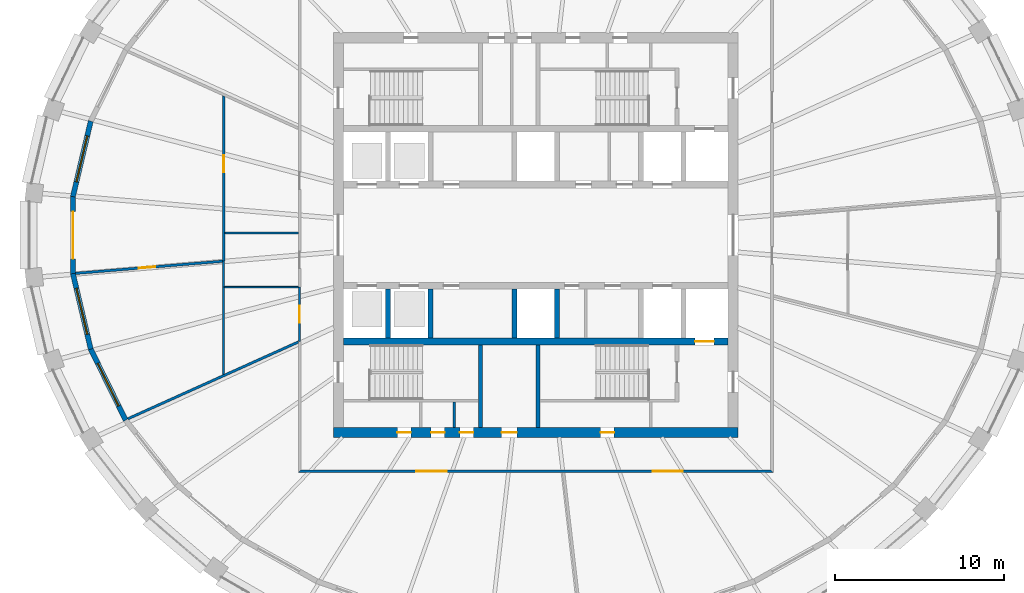
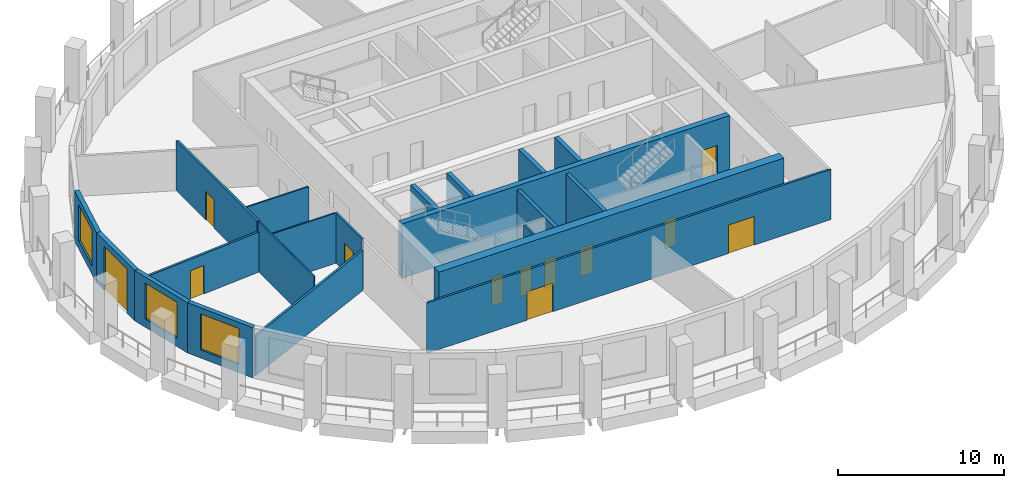
# One storey, part 3 of 10: 21 walls, 12 doors, 3 windows, 15 openings.
"""IFC4 building model written with IfcOpenShell, lengths in metres."""

import ifcopenshell
import ifcopenshell.guid

model = None  # the IFC model being written
_history = None  # IfcOwnerHistory: only IFC2X3 demands one
_inside = {}  # id of a spatial element -> (the spatial element, [elements in it])
_under = {}  # id of a project, library or spatial element -> (it, [spatial elements below it])
_declared = {}  # id of a project -> (the project, [libraries it declares])
_typed = {}  # id of a type object -> (the type object, [elements of that type])
_made_of = {}  # id of a material, layer set ... -> (it, [elements and type objects made of it])


def new_model(schema):
    """Start an empty IFC model of exactly this schema.

    Asked for "IFC4X3", IfcOpenShell would pick the latest addendum, in which some entities
    have other attributes; the version numbers below select the first issue.
    IFC2X3 requires an IfcOwnerHistory on every rooted entity: one is made here for all.
    """
    global model, _history
    if schema == "IFC4X3":
        model = ifcopenshell.file(schema_version=(4, 3, 0, 0))
    else:
        model = ifcopenshell.file(schema=schema)
    _inside.clear()
    _under.clear()
    _declared.clear()
    _typed.clear()
    _made_of.clear()
    _history = None
    if model.schema == "IFC2X3":
        org = make("IfcOrganization", Name="unknown")
        user = make(
            "IfcPersonAndOrganization",
            ThePerson=make("IfcPerson", FamilyName="unknown"),
            TheOrganization=org,
        )
        app = make(
            "IfcApplication",
            ApplicationDeveloper=org,
            Version="unknown",
            ApplicationFullName="unknown",
            ApplicationIdentifier="unknown",
        )
        _history = make(
            "IfcOwnerHistory",
            OwningUser=user,
            OwningApplication=app,
            ChangeAction="ADDED",
            CreationDate=0,
        )
    return model


def make(cls, **values):
    """One entity of the class cls with the attributes given. An attribute that is None is left unset."""
    return model.create_entity(
        cls, **{name: value for name, value in values.items() if value is not None}
    )


def rooted(cls, **values):
    """An entity with a GlobalId (a new one), such as an element, a storey or a relation."""
    return make(cls, GlobalId=ifcopenshell.guid.new(), OwnerHistory=_history, **values)


def si_unit(unit_type, name, prefix=None):
    """IfcSIUnit, for example si_unit("LENGTHUNIT", "METRE", prefix="MILLI")."""
    return make("IfcSIUnit", UnitType=unit_type, Prefix=prefix, Name=name)


def assignment(units):
    """IfcUnitAssignment: the units of a project."""
    return None if units is None else make("IfcUnitAssignment", Units=units)


def point(xyz):
    """IfcCartesianPoint."""
    return None if xyz is None else make("IfcCartesianPoint", Coordinates=xyz)


def direction(xyz):
    """IfcDirection."""
    return None if xyz is None else make("IfcDirection", DirectionRatios=xyz)


def frame(location, z_axis=None, x_axis=None):
    """IfcAxis2Placement3D, a coordinate frame: its origin and axes. An axis left out is left unset."""
    return make(
        "IfcAxis2Placement3D",
        Location=point(location),
        Axis=direction(z_axis),
        RefDirection=direction(x_axis),
    )


def frame_2d(location, x_axis=None):
    """IfcAxis2Placement2D, a coordinate frame in the plane: its origin and x axis."""
    return make(
        "IfcAxis2Placement2D", Location=point(location), RefDirection=direction(x_axis)
    )


def origin():
    """The frame at (0, 0, 0) with its axes left unset."""
    return frame((0.0, 0.0, 0.0))


def place(relative_to, where):
    """IfcLocalPlacement: puts the frame where relative to a parent placement (None: the world)."""
    return make(
        "IfcLocalPlacement", PlacementRelTo=relative_to, RelativePlacement=where
    )


def context(
    kind, dimensions, precision=None, world=None, true_north=None, identifier=None
):
    """IfcGeometricRepresentationContext, for example the 3D "Model" context."""
    return make(
        "IfcGeometricRepresentationContext",
        ContextIdentifier=identifier,
        ContextType=kind,
        CoordinateSpaceDimension=dimensions,
        Precision=precision,
        WorldCoordinateSystem=world,
        TrueNorth=true_north,
    )


def subcontext(parent, identifier, kind, view, scale=None):
    """IfcGeometricRepresentationSubContext, for example "Body" below "Model"."""
    return make(
        "IfcGeometricRepresentationSubContext",
        ContextIdentifier=identifier,
        ContextType=kind,
        ParentContext=parent,
        TargetScale=scale,
        TargetView=view,
    )


def project(units=None, contexts=None):
    """IfcProject with its units and contexts."""
    return rooted(
        "IfcProject",
        Name="project",
        RepresentationContexts=contexts,
        UnitsInContext=assignment(units),
    )


def spatial(cls, under=None, at=None, **own):
    """A site, building, storey or space (cls), placed at a placement, below another one or the project."""
    s = rooted(cls, ObjectPlacement=at, **own)
    if under is not None:
        _under.setdefault(under.id(), (under, []))[1].append(s)
    return s


def polyline(points):
    """IfcPolyline through the points."""
    return make("IfcPolyline", Points=[point(p) for p in points])


def profile(cls, at=None, kind="AREA", **sizes):
    """A parametric profile (cls). Its sizes go by their IFC names, for example OverallWidth=200.0."""
    return make(cls, ProfileType=kind, Position=at, **sizes)


def rectangle(**sizes):
    """IfcRectangleProfileDef."""
    return profile("IfcRectangleProfileDef", **sizes)


def outline(outer, holes=None, kind="AREA"):
    """IfcArbitraryClosedProfileDef: a profile drawn as a closed curve; with holes, ...WithVoids."""
    if holes is None:
        return make("IfcArbitraryClosedProfileDef", ProfileType=kind, OuterCurve=outer)
    return make(
        "IfcArbitraryProfileDefWithVoids",
        ProfileType=kind,
        OuterCurve=outer,
        InnerCurves=holes,
    )


def extrude(swept, where, along, depth):
    """IfcExtrudedAreaSolid: the profile swept, set in the frame where, extruded along a direction by depth."""
    return make(
        "IfcExtrudedAreaSolid",
        SweptArea=swept,
        Position=where,
        ExtrudedDirection=direction(along),
        Depth=depth,
    )


def shape(context_of_items, identifier, shape_type, items):
    """IfcShapeRepresentation: the items that make up one representation, for example the "Body"."""
    return make(
        "IfcShapeRepresentation",
        ContextOfItems=context_of_items,
        RepresentationIdentifier=identifier,
        RepresentationType=shape_type,
        Items=items,
    )


def material(Name=None, Category=None):
    """IfcMaterial."""
    return make("IfcMaterial", Name=Name, Category=Category)


def layer(
    of_material, thickness, ventilated=None, Name=None, Category=None, Priority=None
):
    """IfcMaterialLayer: one layer of a wall or slab, of a material (None: an air gap)."""
    return make(
        "IfcMaterialLayer",
        Material=of_material,
        LayerThickness=thickness,
        IsVentilated=ventilated,
        Name=Name,
        Category=Category,
        Priority=Priority,
    )


def layer_set(layers, Name=None):
    """IfcMaterialLayerSet."""
    return make("IfcMaterialLayerSet", MaterialLayers=layers, LayerSetName=Name)


def made_of(thing, what):
    """Note that an element or type object is made of a material, layer set ...; save() writes the relation."""
    if what is not None:
        _made_of.setdefault(what.id(), (what, []))[1].append(thing)
    return thing


def type_object(cls, material=None, **own):
    """A type object (cls), such as IfcWallType, which elements share."""
    return made_of(rooted(cls, **own), material)


def element(
    cls,
    number,
    at=None,
    inside=None,
    cuts=None,
    type_object=None,
    material=None,
    context=None,
    identifier="Body",
    shape_type=None,
    held_by="IfcProductDefinitionShape",
    body=None,
    shapes=None,
    **own,
):
    """One element of the class cls, such as IfcWall. Its Tag is "e" and its number.

    at: its placement. inside: the storey or other place that contains it. cuts: it is an
    opening in that element (IfcRelVoidsElement). A single representation is given by context,
    identifier, shape_type and body (its items); several are given by shapes. held_by: the class
    of the entity that holds the representations. save() writes the other relations.
    """
    e = rooted(cls, Tag="e%d" % number, ObjectPlacement=at, **own)
    if body is not None:
        shapes = [shape(context, identifier, shape_type, body)]
    if shapes is not None:
        e.Representation = make(held_by, Representations=shapes)
    if inside is not None:
        _inside.setdefault(inside.id(), (inside, []))[1].append(e)
    if cuts is not None:
        rooted(
            "IfcRelVoidsElement", RelatingBuildingElement=cuts, RelatedOpeningElement=e
        )
    if type_object is not None:
        _typed.setdefault(type_object.id(), (type_object, []))[1].append(e)
    return made_of(e, material)


def fill(opening, filler):
    """IfcRelFillsElement: the door or window that sits in an opening."""
    return rooted(
        "IfcRelFillsElement",
        RelatingOpeningElement=opening,
        RelatedBuildingElement=filler,
    )


def aggregate(whole, parts):
    """IfcRelAggregates: a whole, such as a stair, and the parts it consists of."""
    return rooted("IfcRelAggregates", RelatingObject=whole, RelatedObjects=parts)


def save(model, path):
    """Write the relations noted so far, then the file.

    IfcRelAggregates (storeys below a building ...), IfcRelContainedInSpatialStructure (elements
    in a storey), IfcRelDefinesByType, IfcRelAssociatesMaterial and IfcRelDeclares: one each for
    every whole, place, type object, material and project.
    """
    for whole, parts in _under.values():
        aggregate(whole, parts)
    for where, things in _inside.values():
        rooted(
            "IfcRelContainedInSpatialStructure",
            RelatedElements=things,
            RelatingStructure=where,
        )
    for kind, things in _typed.values():
        rooted("IfcRelDefinesByType", RelatedObjects=things, RelatingType=kind)
    for what, things in _made_of.values():
        rooted("IfcRelAssociatesMaterial", RelatedObjects=things, RelatingMaterial=what)
    for by, libraries in _declared.values():
        rooted("IfcRelDeclares", RelatingContext=by, RelatedDefinitions=libraries)
    model.write(path)


model = new_model("IFC4")

# Units and contexts
model_context = context("Model", 3, precision=1e-05, world=origin(), true_north=direction((0.0, 1.0)))
body_context = subcontext(model_context, "Body", "Model", "MODEL_VIEW")
ifc_project = project(units=[si_unit("LENGTHUNIT", "METRE"), si_unit("AREAUNIT", "SQUARE_METRE"), si_unit("VOLUMEUNIT", "CUBIC_METRE"), si_unit("PLANEANGLEUNIT", "RADIAN"), si_unit("MASSUNIT", "GRAM", prefix="KILO")], contexts=[model_context])

# Site, building, storey
site_placement = place(None, origin())
site = spatial("IfcSite", under=ifc_project, at=site_placement, CompositionType="ELEMENT")
building_placement = place(site_placement, origin())
building = spatial("IfcBuilding", under=site, at=building_placement, Name="Halqa Exchange Tower", CompositionType="ELEMENT")
storey_placement = place(building_placement, frame((0.0, 0.0, 264.300048828125)))
storey = spatial("IfcBuildingStorey", under=building, at=storey_placement, Name="L61", CompositionType="ELEMENT", Elevation=264.300048828125)

# Wall, opening, door
ifc_material_1 = material(Name="Gypsum board")
ifc_layer_1 = layer(ifc_material_1, 0.14990234375)
ifc_layer_set_1 = layer_set([ifc_layer_1], Name="Gypsum board")
wall_type_1 = type_object("IfcWallType", Name="Acoustic partition 150", PredefinedType="PARTITIONING", material=ifc_layer_set_1)
wall_1_placement = place(storey_placement, frame((-18.556396484375, -1.544677734375, 0.0), z_axis=(0.0, 0.0, 1.0), x_axis=(-0.996605565352, -0.0823246446, 0.0)))
wall_1 = element("IfcWall", 1, at=wall_1_placement, inside=storey, type_object=wall_type_1, Name="L61-PWL-004", PredefinedType="PARTITIONING", context=body_context, shape_type="SweptSolid", body=[
    extrude(outline(polyline([(8.74560546875, -0.074951171875), (8.74560546875, 0.038818359375), (8.740234375, 0.074951171875), (6.9921875, 0.074951171875), (5.244140625, 0.074951171875), (3.49609375, 0.074951171875), (1.748046875, 0.074951171875), (0.0, 0.074951171875), (0.0, -0.004638671875), (0.01806640625, -0.006103515625), (0.012451171875, -0.074951171875), (1.759033203125, -0.074951171875), (3.505615234375, -0.074951171875), (5.25244140625, -0.074951171875), (6.9990234375, -0.074951171875), (8.74560546875, -0.074951171875)])), origin(), (0.0, 0.0, 1.0), 2.947021484375),
])
opening_1_placement = place(wall_1_placement, frame((3.9990234375, 0.0, 0.0)))
opening_1 = element("IfcOpeningElement", 2, at=opening_1_placement, cuts=wall_1, Name="Opening 18-13", PredefinedType="OPENING", context=body_context, shape_type="SweptSolid", body=[
    extrude(rectangle(XDim=1.0, YDim=2.10009765625, at=frame_2d((0.5, 1.050048828125))), frame((0.0, 0.0869140625, 0.0), z_axis=(0.0, -1.0, 0.0), x_axis=(1.0, 0.0, 0.0)), (0.0, 0.0, 1.0), 0.173828125),
])
ifc_material_2 = material(Name="Timber door leaf", Category="wood")
door_type_1 = type_object("IfcDoorType", Name="Acoustic door 1000 x 2100", OperationType="SINGLE_SWING_LEFT", PredefinedType="DOOR", material=ifc_material_2)
door_1_placement = place(opening_1_placement, origin())
door_1 = element("IfcDoor", 3, at=door_1_placement, inside=storey, type_object=door_type_1, Name="L61-IDR-013", OperationType="SINGLE_SWING_LEFT", OverallHeight=2.10009765625, OverallWidth=1.0, PredefinedType="DOOR", context=body_context, shape_type="SweptSolid", body=[
    extrude(rectangle(XDim=1.0, YDim=2.10009765625, at=frame_2d((0.5, 1.050048828125))), frame((0.0, 0.02490234375, 0.0), z_axis=(0.0, -1.0, 0.0), x_axis=(1.0, 0.0, 0.0)), (0.0, 0.0, 1.0), 0.050048828125),
])
fill(opening_1, door_1)

wall_2_placement = place(storey_placement, frame((-18.5, -1.5400390625, 0.0), z_axis=(0.0, 0.0, 1.0), x_axis=(0.0, 1.0, 0.0)))
wall_2 = element("IfcWall", 4, at=wall_2_placement, inside=storey, type_object=wall_type_1, Name="L61-PWL-005", PredefinedType="PARTITIONING", context=body_context, shape_type="SweptSolid", body=[
    extrude(outline(polyline([(0.0, -0.074951171875), (1.950439453125, -0.074951171875), (3.90087890625, -0.074951171875), (5.851318359375, -0.074951171875), (7.8017578125, -0.074951171875), (9.752197265625, -0.074951171875), (9.819580078125, 0.07421875), (9.819580078125, 0.074951171875), (7.869384765625, 0.074951171875), (5.91943359375, 0.074951171875), (3.96923828125, 0.074951171875), (2.019287109375, 0.074951171875), (0.069091796875, 0.074951171875), (0.070068359375, 0.0625), (0.0, 0.056640625), (0.0, 0.050048828125), (0.0, 0.050048828125), (0.0, -0.050048828125), (0.0, -0.050048828125), (0.0, -0.074951171875)])), origin(), (0.0, 0.0, 1.0), 3.699951171875),
])
opening_2_placement = place(wall_2_placement, frame((5.27001953125, 0.0, 0.0)))
opening_2 = element("IfcOpeningElement", 5, at=opening_2_placement, cuts=wall_2, Name="Opening 18-12", PredefinedType="OPENING", context=body_context, shape_type="SweptSolid", body=[
    extrude(rectangle(XDim=1.0, YDim=2.10009765625, at=frame_2d((0.5, 1.050048828125))), frame((0.0, 0.0869140625, 0.0), z_axis=(0.0, -1.0, 0.0), x_axis=(1.0, 0.0, 0.0)), (0.0, 0.0, 1.0), 0.173828125),
])
door_2_placement = place(opening_2_placement, frame((1.0, 0.0, 0.0), z_axis=(0.0, 0.0, 1.0), x_axis=(-1.0, 0.0, 0.0)))
door_2 = element("IfcDoor", 6, at=door_2_placement, inside=storey, type_object=door_type_1, Name="L61-IDR-012", OperationType="SINGLE_SWING_LEFT", OverallHeight=2.10009765625, OverallWidth=1.0, PredefinedType="DOOR", context=body_context, shape_type="SweptSolid", body=[
    extrude(rectangle(XDim=1.0, YDim=2.10009765625, at=frame_2d((0.5, 1.050048828125))), frame((0.0, 0.02490234375, 0.0), z_axis=(0.0, -1.0, 0.0), x_axis=(1.0, 0.0, 0.0)), (0.0, 0.0, 1.0), 0.050048828125),
])
fill(opening_2, door_2)

# Wall
ifc_material_3 = material(Name="Fire-rated gypsum board")
ifc_layer_2 = layer(ifc_material_3, 0.14990234375)
ifc_layer_set_2 = layer_set([ifc_layer_2], Name="Fire-rated gypsum board")
wall_type_2 = type_object("IfcWallType", Name="Fire partition EI 60 150", PredefinedType="PARTITIONING", material=ifc_layer_set_2)
wall_3_placement = place(storey_placement, frame((-24.17626953125, -10.88671875, 0.0), z_axis=(0.0, 0.0, 1.0), x_axis=(0.9116787738, 0.410903654648, 0.0)))
element("IfcWall", 7, at=wall_3_placement, inside=storey, type_object=wall_type_2, Name="L61-PWL-001", PredefinedType="PARTITIONING", context=body_context, shape_type="SweptSolid", body=[
    extrude(outline(polyline([(0.020751953125, -0.074951171875), (1.8583984375, -0.074951171875), (3.69580078125, -0.074951171875), (5.533447265625, -0.074951171875), (7.37109375, -0.074951171875), (9.20849609375, -0.074951171875), (11.046142578125, -0.074951171875), (11.09375, 0.031005859375), (11.107421875, 0.02490234375), (11.129638671875, 0.073974609375), (11.129638671875, 0.074951171875), (9.524658203125, 0.074951171875), (7.919677734375, 0.074951171875), (6.314697265625, 0.074951171875), (6.314208984375, 0.07373046875), (6.3115234375, 0.074951171875), (4.733642578125, 0.074951171875), (3.15576171875, 0.074951171875), (1.577880859375, 0.074951171875), (0.0, 0.074951171875), (0.0, 0.0625), (0.002197265625, -0.0009765625), (0.020751953125, -0.074951171875)])), origin(), (0.0, 0.0, 1.0), 2.947021484375),
])

# Wall, openings, doors
wall_4_placement = place(storey_placement, frame((-14.074951171875, -14.0, 0.0), z_axis=(0.0, 0.0, 1.0), x_axis=(1.0, 0.0, 0.0)))
wall_4 = element("IfcWall", 8, at=wall_4_placement, inside=storey, type_object=wall_type_2, Name="L61-PWL-007", PredefinedType="PARTITIONING", context=body_context, shape_type="SweptSolid", body=[
    extrude(outline(polyline([(0.0, -0.074951171875), (1.876708984375, -0.074951171875), (3.75341796875, -0.074951171875), (5.6298828125, -0.074951171875), (7.506591796875, -0.074951171875), (9.38330078125, -0.074951171875), (11.260009765625, -0.074951171875), (13.13671875, -0.074951171875), (15.01318359375, -0.074951171875), (16.889892578125, -0.074951171875), (18.7666015625, -0.074951171875), (20.643310546875, -0.074951171875), (22.52001953125, -0.074951171875), (24.396484375, -0.074951171875), (26.273193359375, -0.074951171875), (28.14990234375, -0.074951171875), (28.0, 0.074951171875), (26.0107421875, 0.074951171875), (24.021484375, 0.074951171875), (22.0322265625, 0.074951171875), (20.042724609375, 0.074951171875), (18.053466796875, 0.074951171875), (16.064208984375, 0.074951171875), (14.074951171875, 0.074951171875), (12.085693359375, 0.074951171875), (10.096435546875, 0.074951171875), (8.107177734375, 0.074951171875), (6.11767578125, 0.074951171875), (4.12841796875, 0.074951171875), (2.13916015625, 0.074951171875), (0.14990234375, 0.074951171875), (0.0, -0.074951171875)])), origin(), (0.0, 0.0, 1.0), 3.699951171875),
])
opening_3_placement = place(wall_4_placement, frame((20.9951171875, 0.0, 0.0)))
opening_3 = element("IfcOpeningElement", 9, at=opening_3_placement, cuts=wall_4, Name="Opening 18-01", PredefinedType="OPENING", context=body_context, shape_type="SweptSolid", body=[
    extrude(rectangle(XDim=1.800048828125, YDim=2.10009765625, at=frame_2d((0.89990234375, 1.050048828125))), frame((0.0, 0.0869140625, 0.0), z_axis=(0.0, -1.0, 0.0), x_axis=(1.0, 0.0, 0.0)), (0.0, 0.0, 1.0), 0.173828125),
])
opening_4_placement = place(wall_4_placement, frame((6.9951171875, 0.0, 0.0)))
opening_4 = element("IfcOpeningElement", 10, at=opening_4_placement, cuts=wall_4, Name="Opening 18-10", PredefinedType="OPENING", context=body_context, shape_type="SweptSolid", body=[
    extrude(rectangle(XDim=1.800048828125, YDim=2.10009765625, at=frame_2d((0.89990234375, 1.050048828125))), frame((0.0, 0.0869140625, 0.0), z_axis=(0.0, -1.0, 0.0), x_axis=(1.0, 0.0, 0.0)), (0.0, 0.0, 1.0), 0.173828125),
])
ifc_material_4 = material(Name="Steel fire door leaf", Category="steel")
door_type_2 = type_object("IfcDoorType", Name="Fire door FD30S double 1800 x 2100", OperationType="DOUBLE_DOOR_SINGLE_SWING", PredefinedType="DOOR", material=ifc_material_4)
door_3_placement = place(opening_3_placement, frame((1.800048828125, 0.0, 0.0), z_axis=(0.0, 0.0, 1.0), x_axis=(-1.0, 0.0, 0.0)))
door_3 = element("IfcDoor", 11, at=door_3_placement, inside=storey, type_object=door_type_2, Name="L61-IDR-001", OperationType="DOUBLE_DOOR_SINGLE_SWING", OverallHeight=2.10009765625, OverallWidth=1.800048828125, PredefinedType="DOOR", context=body_context, shape_type="SweptSolid", body=[
    extrude(rectangle(XDim=1.800048828125, YDim=2.10009765625, at=frame_2d((0.89990234375, 1.050048828125))), frame((0.0, 0.02490234375, 0.0), z_axis=(0.0, -1.0, 0.0), x_axis=(1.0, 0.0, 0.0)), (0.0, 0.0, 1.0), 0.050048828125),
])
fill(opening_3, door_3)
door_4_placement = place(opening_4_placement, frame((1.800048828125, 0.0, 0.0), z_axis=(0.0, 0.0, 1.0), x_axis=(-1.0, 0.0, 0.0)))
door_4 = element("IfcDoor", 12, at=door_4_placement, inside=storey, type_object=door_type_2, Name="L61-IDR-010", OperationType="DOUBLE_DOOR_SINGLE_SWING", OverallHeight=2.10009765625, OverallWidth=1.800048828125, PredefinedType="DOOR", context=body_context, shape_type="SweptSolid", body=[
    extrude(rectangle(XDim=1.800048828125, YDim=2.10009765625, at=frame_2d((0.89990234375, 1.050048828125))), frame((0.0, 0.02490234375, 0.0), z_axis=(0.0, -1.0, 0.0), x_axis=(1.0, 0.0, 0.0)), (0.0, 0.0, 1.0), 0.050048828125),
])
fill(opening_4, door_4)

# Wall, opening, door
ifc_material_5 = material(Name="Fire-rated glazing", Category="glass")
ifc_layer_3 = layer(ifc_material_5, 0.1201171875)
ifc_layer_set_3 = layer_set([ifc_layer_3], Name="Fire-rated glazing")
wall_type_3 = type_object("IfcWallType", Name="Glazed fire partition EI 60 120", PredefinedType="PARTITIONING", material=ifc_layer_set_3)
wall_5_placement = place(storey_placement, frame((-14.0, -6.300048828125, 0.0), z_axis=(0.0, 0.0, 1.0), x_axis=(0.0, 1.0, 0.0)))
wall_5 = element("IfcWall", 13, at=wall_5_placement, inside=storey, type_object=wall_type_3, Name="L61-PWL-008", PredefinedType="PARTITIONING", context=body_context, shape_type="SweptSolid", body=[
    extrude(rectangle(XDim=3.219970703125, YDim=0.1201171875, at=frame_2d((1.60986328125, 0.0))), origin(), (0.0, 0.0, 1.0), 3.699951171875),
])
opening_5_placement = place(wall_5_placement, frame((1.110107421875, 0.0, 0.0)))
opening_5 = element("IfcOpeningElement", 14, at=opening_5_placement, cuts=wall_5, Name="Opening 18-09", PredefinedType="OPENING", context=body_context, shape_type="SweptSolid", body=[
    extrude(rectangle(XDim=1.0, YDim=2.10009765625, at=frame_2d((0.5, 1.050048828125))), frame((0.0, 0.072021484375, 0.0), z_axis=(0.0, -1.0, 0.0), x_axis=(1.0, 0.0, 0.0)), (0.0, 0.0, 1.0), 0.14404296875),
])
door_type_3 = type_object("IfcDoorType", Name="Fire door FD30S 1000 x 2100", OperationType="SINGLE_SWING_LEFT", PredefinedType="DOOR", material=ifc_material_4)
door_5_placement = place(opening_5_placement, origin())
door_5 = element("IfcDoor", 15, at=door_5_placement, inside=storey, type_object=door_type_3, Name="L61-IDR-009", OperationType="SINGLE_SWING_LEFT", OverallHeight=2.10009765625, OverallWidth=1.0, PredefinedType="DOOR", context=body_context, shape_type="SweptSolid", body=[
    extrude(rectangle(XDim=1.0, YDim=2.10009765625, at=frame_2d((0.5, 1.050048828125))), frame((0.0, 0.02490234375, 0.0), z_axis=(0.0, -1.0, 0.0), x_axis=(1.0, 0.0, 0.0)), (0.0, 0.0, 1.0), 0.050048828125),
])
fill(opening_5, door_5)

# Walls
ifc_layer_4 = layer(ifc_material_1, 0.10009765625)
ifc_layer_set_4 = layer_set([ifc_layer_4], Name="Gypsum board")
wall_type_4 = type_object("IfcWallType", Name="Partition 100 gypsum", PredefinedType="PARTITIONING", material=ifc_layer_set_4)
wall_6_placement = place(storey_placement, frame((-18.5, -8.26806640625, 0.0), z_axis=(0.0, 0.0, 1.0), x_axis=(0.0, 1.0, 0.0)))
element("IfcWall", 16, at=wall_6_placement, inside=storey, type_object=wall_type_4, Name="L61-PWL-003", PredefinedType="PARTITIONING", context=body_context, shape_type="SweptSolid", body=[
    extrude(outline(polyline([(0.044677734375, -0.050048828125), (1.742431640625, -0.050048828125), (3.440185546875, -0.050048828125), (5.13818359375, -0.050048828125), (5.13818359375, -0.050048828125), (5.238037109375, -0.050048828125), (5.238037109375, -0.050048828125), (6.72802734375, -0.050048828125), (6.72802734375, 0.050048828125), (5.0458984375, 0.050048828125), (3.364013671875, 0.050048828125), (1.68212890625, 0.050048828125), (0.0, 0.050048828125), (0.0, 0.048828125), (0.044677734375, -0.050048828125)])), origin(), (0.0, 0.0, 1.0), 3.699951171875),
])
wall_7_placement = place(storey_placement, frame((-14.060546875, -3.080078125, 0.0), z_axis=(0.0, 0.0, 1.0), x_axis=(-1.0, 0.0, 0.0)))
element("IfcWall", 17, at=wall_7_placement, inside=storey, type_object=wall_type_4, Name="L61-PWL-009", PredefinedType="PARTITIONING", context=body_context, shape_type="SweptSolid", body=[
    extrude(outline(polyline([(0.0, 0.050048828125), (0.0, 0.0), (0.014404296875, 0.0), (0.014404296875, -0.050048828125), (1.47265625, -0.050048828125), (2.93115234375, -0.050048828125), (4.389404296875, -0.050048828125), (4.389404296875, 0.050048828125), (2.92626953125, 0.050048828125), (1.463134765625, 0.050048828125), (0.0, 0.050048828125)])), origin(), (0.0, 0.0, 1.0), 3.699951171875),
])
wall_8_placement = place(storey_placement, frame((-14.074951171875, 0.1298828125, 0.0), z_axis=(0.0, 0.0, 1.0), x_axis=(-1.0, 0.0, 0.0)))
element("IfcWall", 18, at=wall_8_placement, inside=storey, type_object=wall_type_4, Name="L61-PWL-011", PredefinedType="PARTITIONING", context=body_context, shape_type="SweptSolid", body=[
    extrude(rectangle(XDim=4.35009765625, YDim=0.10009765625, at=frame_2d((2.175048828125, 0.0))), origin(), (0.0, 0.0, 1.0), 3.699951171875),
])
ifc_layer_5 = layer(ifc_material_1, 0.14990234375)
ifc_layer_set_5 = layer_set([ifc_layer_5], Name="Gypsum board")
wall_type_5 = type_object("IfcWallType", Name="Penthouse riser wall 150 gypsum", PredefinedType="PARTITIONING", material=ifc_layer_set_5)
wall_9_placement = place(storey_placement, frame((-4.824951171875, -11.39990234375, 0.0), z_axis=(0.0, 0.0, 1.0), x_axis=(0.0, 1.0, 0.0)))
element("IfcWall", 19, at=wall_9_placement, inside=storey, type_object=wall_type_5, Name="Partition W4.825 S", PredefinedType="PARTITIONING", context=body_context, shape_type="SweptSolid", body=[
    extrude(rectangle(XDim=1.5, YDim=0.14990234375, at=frame_2d((0.75, 0.0))), origin(), (0.0, 0.0, 1.0), 3.699951171875),
])
ifc_material_6 = material(Name="Concrete C60/75", Category="concrete")
ifc_layer_6 = layer(ifc_material_6, 0.300048828125)
ifc_layer_set_6 = layer_set([ifc_layer_6], Name="Concrete C60/75")
wall_type_6 = type_object("IfcWallType", Name="RC core wall 300", PredefinedType="SHEAR", material=ifc_layer_set_6)
for number, where, z_axis, x_axis, name in (
    (20, (-8.75, -6.10009765625, 0.0), (0.0, 0.0, 1.0), (0.0, 1.0, 0.0), "Shaft divider S1"),
    (21, (-6.25, -6.10009765625, 0.0), (0.0, 0.0, 1.0), (0.0, 1.0, 0.0), "Shaft divider S2"),
    (22, (-1.25, -6.10009765625, 0.0), (0.0, 0.0, 1.0), (0.0, 1.0, 0.0), "Shaft divider S4"),
    (23, (1.25, -6.10009765625, 0.0), (0.0, 0.0, 1.0), (0.0, 1.0, 0.0), "Shaft divider S5"),
):
    element("IfcWall", number, at=place(storey_placement, frame(where, z_axis=z_axis, x_axis=x_axis)), inside=storey, type_object=wall_type_6, Name=name, PredefinedType="SHEAR", context=body_context, shape_type="SweptSolid", body=[
        extrude(rectangle(XDim=2.900146484375, YDim=0.300048828125, at=frame_2d((1.4501953125, 0.0))), origin(), (0.0, 0.0, 1.0), 4.0),
    ])

# Wall, opening, door
ifc_layer_7 = layer(ifc_material_6, 0.39990234375)
ifc_layer_set_7 = layer_set([ifc_layer_7], Name="Concrete C60/75")
wall_type_7 = type_object("IfcWallType", Name="RC core wall 400 C60/75", PredefinedType="SHEAR", material=ifc_layer_set_7)
wall_10_placement = place(storey_placement, frame((-11.39990234375, -6.300048828125, 0.0), z_axis=(0.0, 0.0, 1.0), x_axis=(1.0, 0.0, 0.0)))
wall_10 = element("IfcWall", 24, at=wall_10_placement, inside=storey, type_object=wall_type_7, Name="Lift row back wall S", PredefinedType="SHEAR", context=body_context, shape_type="SweptSolid", body=[
    extrude(rectangle(XDim=22.7998046875, YDim=0.39990234375, at=frame_2d((11.39990234375, 0.0))), origin(), (0.0, 0.0, 1.0), 4.0),
])
opening_6_placement = place(wall_10_placement, frame((20.85009765625, 0.0, 0.0)))
opening_6 = element("IfcOpeningElement", 25, at=opening_6_placement, cuts=wall_10, Name="Opening LD-FF2-T18", PredefinedType="OPENING", context=body_context, shape_type="SweptSolid", body=[
    extrude(rectangle(XDim=1.10009765625, YDim=2.10009765625, at=frame_2d((0.550048828125, 1.050048828125))), frame((0.0, 0.2119140625, 0.0), z_axis=(0.0, -1.0, 0.0), x_axis=(1.0, 0.0, 0.0)), (0.0, 0.0, 1.0), 0.423828125),
])
ifc_material_7 = material(Name="Stainless steel", Category="steel")
door_type_4 = type_object("IfcDoorType", Name="Lift landing door 1100 x 2100", OperationType="SLIDING_TO_LEFT", PredefinedType="DOOR", material=ifc_material_7)
door_6_placement = place(opening_6_placement, origin())
door_6 = element("IfcDoor", 26, at=door_6_placement, inside=storey, type_object=door_type_4, Name="Lift landing door FF2", OperationType="SLIDING_TO_LEFT", OverallHeight=2.10009765625, OverallWidth=1.10009765625, PredefinedType="DOOR", context=body_context, shape_type="SweptSolid", body=[
    extrude(rectangle(XDim=1.10009765625, YDim=2.10009765625, at=frame_2d((0.550048828125, 1.050048828125))), frame((0.0, 0.02490234375, 0.0), z_axis=(0.0, -1.0, 0.0), x_axis=(1.0, 0.0, 0.0)), (0.0, 0.0, 1.0), 0.050048828125),
])
fill(opening_6, door_6)

# Wall, openings, doors
ifc_layer_8 = layer(ifc_material_6, 0.60009765625)
ifc_layer_set_8 = layer_set([ifc_layer_8], Name="Concrete C60/75")
wall_type_8 = type_object("IfcWallType", Name="RC core wall 600 C60/75", PredefinedType="SHEAR", material=ifc_layer_set_8)
wall_11_placement = place(storey_placement, frame((-12.0, -11.699951171875, 0.0), z_axis=(0.0, 0.0, 1.0), x_axis=(1.0, 0.0, 0.0)))
wall_11 = element("IfcWall", 27, at=wall_11_placement, inside=storey, type_object=wall_type_8, Name="Core wall south", PredefinedType="SHEAR", context=body_context, shape_type="SweptSolid", body=[
    extrude(rectangle(XDim=24.0, YDim=0.60009765625, at=frame_2d((12.0, 0.0))), origin(), (0.0, 0.0, 1.0), 4.0),
])
opening_7_placement = place(wall_11_placement, frame((9.97509765625, 0.0, 0.0)))
opening_7 = element("IfcOpeningElement", 28, at=opening_7_placement, cuts=wall_11, Name="Opening T18-C22", PredefinedType="OPENING", context=body_context, shape_type="SweptSolid", body=[
    extrude(rectangle(XDim=0.89990234375, YDim=2.10009765625, at=frame_2d((0.449951171875, 1.050048828125))), frame((0.0, 0.31201171875, 0.0), z_axis=(0.0, -1.0, 0.0), x_axis=(1.0, 0.0, 0.0)), (0.0, 0.0, 1.0), 0.6240234375),
])
opening_8_placement = place(wall_11_placement, frame((3.800048828125, 0.0, 0.0)))
opening_8 = element("IfcOpeningElement", 29, at=opening_8_placement, cuts=wall_11, Name="Opening T18-C23", PredefinedType="OPENING", context=body_context, shape_type="SweptSolid", body=[
    extrude(rectangle(XDim=0.800048828125, YDim=2.10009765625, at=frame_2d((0.39990234375, 1.050048828125))), frame((0.0, 0.31201171875, 0.0), z_axis=(0.0, -1.0, 0.0), x_axis=(1.0, 0.0, 0.0)), (0.0, 0.0, 1.0), 0.6240234375),
])
opening_9_placement = place(wall_11_placement, frame((5.800048828125, 0.0, 0.0)))
opening_9 = element("IfcOpeningElement", 30, at=opening_9_placement, cuts=wall_11, Name="Opening T18-C24", PredefinedType="OPENING", context=body_context, shape_type="SweptSolid", body=[
    extrude(rectangle(XDim=0.800048828125, YDim=2.10009765625, at=frame_2d((0.39990234375, 1.050048828125))), frame((0.0, 0.31201171875, 0.0), z_axis=(0.0, -1.0, 0.0), x_axis=(1.0, 0.0, 0.0)), (0.0, 0.0, 1.0), 0.6240234375),
])
opening_10_placement = place(wall_11_placement, frame((7.5, 0.0, 0.0)))
opening_10 = element("IfcOpeningElement", 31, at=opening_10_placement, cuts=wall_11, Name="Opening T18-C25", PredefinedType="OPENING", context=body_context, shape_type="SweptSolid", body=[
    extrude(rectangle(XDim=0.800048828125, YDim=2.10009765625, at=frame_2d((0.39990234375, 1.050048828125))), frame((0.0, 0.31201171875, 0.0), z_axis=(0.0, -1.0, 0.0), x_axis=(1.0, 0.0, 0.0)), (0.0, 0.0, 1.0), 0.6240234375),
])
opening_11_placement = place(wall_11_placement, frame((15.85009765625, 0.0, 0.0)))
opening_11 = element("IfcOpeningElement", 32, at=opening_11_placement, cuts=wall_11, Name="Opening T18-C26", PredefinedType="OPENING", context=body_context, shape_type="SweptSolid", body=[
    extrude(rectangle(XDim=0.800048828125, YDim=2.10009765625, at=frame_2d((0.39990234375, 1.050048828125))), frame((0.0, 0.31201171875, 0.0), z_axis=(0.0, -1.0, 0.0), x_axis=(1.0, 0.0, 0.0)), (0.0, 0.0, 1.0), 0.6240234375),
])
ifc_material_8 = material(Name="Timber fire door leaf", Category="wood")
door_type_5 = type_object("IfcDoorType", Name="Core room door FD30 900 x 2100", OperationType="SINGLE_SWING_LEFT", PredefinedType="DOOR", material=ifc_material_8)
door_7_placement = place(opening_7_placement, origin())
door_7 = element("IfcDoor", 33, at=door_7_placement, inside=storey, type_object=door_type_5, Name="Core room door", OperationType="SINGLE_SWING_RIGHT", OverallHeight=2.10009765625, OverallWidth=0.89990234375, PredefinedType="DOOR", context=body_context, shape_type="SweptSolid", body=[
    extrude(rectangle(XDim=0.89990234375, YDim=2.10009765625, at=frame_2d((0.449951171875, 1.050048828125))), frame((0.0, 0.02490234375, 0.0), z_axis=(0.0, -1.0, 0.0), x_axis=(1.0, 0.0, 0.0)), (0.0, 0.0, 1.0), 0.050048828125),
])
fill(opening_7, door_7)
door_type_6 = type_object("IfcDoorType", Name="Riser door FD60 800 x 2100", OperationType="SINGLE_SWING_LEFT", PredefinedType="DOOR", material=ifc_material_4)
door_8_placement = place(opening_8_placement, origin())
door_8 = element("IfcDoor", 34, at=door_8_placement, inside=storey, type_object=door_type_6, Name="Core room door", OperationType="SINGLE_SWING_LEFT", OverallHeight=2.10009765625, OverallWidth=0.800048828125, PredefinedType="DOOR", context=body_context, shape_type="SweptSolid", body=[
    extrude(rectangle(XDim=0.800048828125, YDim=2.10009765625, at=frame_2d((0.39990234375, 1.050048828125))), frame((0.0, 0.02490234375, 0.0), z_axis=(0.0, -1.0, 0.0), x_axis=(1.0, 0.0, 0.0)), (0.0, 0.0, 1.0), 0.050048828125),
])
fill(opening_8, door_8)
door_9_placement = place(opening_9_placement, origin())
door_9 = element("IfcDoor", 35, at=door_9_placement, inside=storey, type_object=door_type_6, Name="Core room door", OperationType="SINGLE_SWING_LEFT", OverallHeight=2.10009765625, OverallWidth=0.800048828125, PredefinedType="DOOR", context=body_context, shape_type="SweptSolid", body=[
    extrude(rectangle(XDim=0.800048828125, YDim=2.10009765625, at=frame_2d((0.39990234375, 1.050048828125))), frame((0.0, 0.02490234375, 0.0), z_axis=(0.0, -1.0, 0.0), x_axis=(1.0, 0.0, 0.0)), (0.0, 0.0, 1.0), 0.050048828125),
])
fill(opening_9, door_9)
door_10_placement = place(opening_10_placement, origin())
door_10 = element("IfcDoor", 36, at=door_10_placement, inside=storey, type_object=door_type_6, Name="Core room door", OperationType="SINGLE_SWING_LEFT", OverallHeight=2.10009765625, OverallWidth=0.800048828125, PredefinedType="DOOR", context=body_context, shape_type="SweptSolid", body=[
    extrude(rectangle(XDim=0.800048828125, YDim=2.10009765625, at=frame_2d((0.39990234375, 1.050048828125))), frame((0.0, 0.02490234375, 0.0), z_axis=(0.0, -1.0, 0.0), x_axis=(1.0, 0.0, 0.0)), (0.0, 0.0, 1.0), 0.050048828125),
])
fill(opening_10, door_10)
door_11_placement = place(opening_11_placement, origin())
door_11 = element("IfcDoor", 37, at=door_11_placement, inside=storey, type_object=door_type_6, Name="Core room door", OperationType="SINGLE_SWING_LEFT", OverallHeight=2.10009765625, OverallWidth=0.800048828125, PredefinedType="DOOR", context=body_context, shape_type="SweptSolid", body=[
    extrude(rectangle(XDim=0.800048828125, YDim=2.10009765625, at=frame_2d((0.39990234375, 1.050048828125))), frame((0.0, 0.02490234375, 0.0), z_axis=(0.0, -1.0, 0.0), x_axis=(1.0, 0.0, 0.0)), (0.0, 0.0, 1.0), 0.050048828125),
])
fill(opening_11, door_11)

# Walls
ifc_material_9 = material(Name="Concrete C30/37", Category="concrete")
ifc_layer_9 = layer(ifc_material_9, 0.25)
ifc_layer_set_9 = layer_set([ifc_layer_9], Name="Concrete C30/37")
wall_type_9 = type_object("IfcWallType", Name="RC stair wall 250 C30/37", PredefinedType="SHEAR", material=ifc_layer_set_9)
for number, where, z_axis, x_axis, name in (
    (38, (-3.27490234375, -11.39990234375, 0.0), (0.0, 0.0, 1.0), (0.0, 1.0, 0.0), "Stair ST1 east wall S"),
    (39, (0.125, -11.39990234375, 0.0), (0.0, 0.0, 1.0), (0.0, 1.0, 0.0), "Stair ST2 west wall S"),
):
    element("IfcWall", number, at=place(storey_placement, frame(where, z_axis=z_axis, x_axis=x_axis)), inside=storey, type_object=wall_type_9, Name=name, PredefinedType="SHEAR", context=body_context, shape_type="SweptSolid", body=[
        extrude(rectangle(XDim=4.89990234375, YDim=0.25, at=frame_2d((2.449951171875, 0.0))), origin(), (0.0, 0.0, 1.0), 3.699951171875),
    ])

# Wall, opening, window
ifc_material_10 = material(Name="Limestone cladding", Category="masonry")
ifc_layer_10 = layer(ifc_material_10, 0.0400390625)
ifc_material_11 = material(Name="Ventilated cavity")
ifc_layer_11 = layer(ifc_material_11, 0.030029296875, ventilated=True)
ifc_material_12 = material(Name="Mineral wool insulation")
ifc_layer_12 = layer(ifc_material_12, 0.10009765625)
ifc_layer_13 = layer(ifc_material_9, 0.10009765625)
ifc_material_13 = material(Name="Internal plaster")
ifc_layer_14 = layer(ifc_material_13, 0.030029296875)
ifc_layer_set_10 = layer_set([ifc_layer_10, ifc_layer_11, ifc_layer_12, ifc_layer_13, ifc_layer_14], Name="Stone-faced insulated wall 300")
wall_type_10 = type_object("IfcWallType", Name="Stone-faced insulated wall 300", PredefinedType="STANDARD", material=ifc_layer_set_10)
wall_12_placement = place(storey_placement, frame((-26.372314453125, 6.7548828125, 0.0), z_axis=(0.0, 0.0, 1.0), x_axis=(-0.229767529411, -0.973245540667, 0.0)))
wall_12 = element("IfcWall", 40, at=wall_12_placement, inside=storey, type_object=wall_type_10, Name="Glass-line wall 15", PredefinedType="STANDARD", context=body_context, shape_type="SweptSolid", body=[
    extrude(outline(polyline([(-0.016845703125, -0.14990234375), (4.6142578125, -0.14990234375), (4.5791015625, 0.14990234375), (0.016845703125, 0.14990234375), (-0.016845703125, -0.14990234375)])), origin(), (0.0, 0.0, 1.0), 3.699951171875),
])
opening_12_placement = place(wall_12_placement, frame((0.8984375, 0.0, 0.60009765625)))
opening_12 = element("IfcOpeningElement", 41, at=opening_12_placement, cuts=wall_12, Name="Opening W-F4-15", PredefinedType="OPENING", context=body_context, shape_type="SweptSolid", body=[
    extrude(rectangle(XDim=2.800048828125, YDim=2.64990234375, at=frame_2d((1.39990234375, 1.324951171875))), frame((0.0, 0.162109375, 0.0), z_axis=(0.0, -1.0, 0.0), x_axis=(1.0, 0.0, 0.0)), (0.0, 0.0, 1.0), 0.323974609375),
])
ifc_material_14 = material(Name="Clear low-emissivity glass in aluminium frame", Category="aluminium")
window_type = type_object("IfcWindowType", Name="Fixed clear glazed window 2800 x 2650", PartitioningType="DOUBLE_PANEL_VERTICAL", PredefinedType="WINDOW", material=ifc_material_14)
window_1_placement = place(opening_12_placement, origin())
window_1 = element("IfcWindow", 42, at=window_1_placement, inside=storey, type_object=window_type, Name="Window 4", OverallHeight=2.64990234375, OverallWidth=2.800048828125, PartitioningType="DOUBLE_PANEL_VERTICAL", PredefinedType="WINDOW", context=body_context, shape_type="SweptSolid", body=[
    extrude(rectangle(XDim=2.800048828125, YDim=2.64990234375, at=frame_2d((1.39990234375, 1.324951171875))), frame((0.0, 0.030029296875, 0.0), z_axis=(0.0, -1.0, 0.0), x_axis=(1.0, 0.0, 0.0)), (0.0, 0.0, 1.0), 0.06005859375),
])
fill(opening_12, window_1)

# Wall, opening, door
wall_13_placement = place(storey_placement, frame((-27.428466796875, 2.28125, 0.0), z_axis=(0.0, 0.0, 1.0), x_axis=(0.0, -1.0, 0.0)))
wall_13 = element("IfcWall", 43, at=wall_13_placement, inside=storey, type_object=wall_type_10, Name="Glass-line wall 16", PredefinedType="STANDARD", context=body_context, shape_type="SweptSolid", body=[
    extrude(outline(polyline([(-0.017578125, -0.14990234375), (4.580078125, -0.14990234375), (4.544921875, 0.14990234375), (0.017578125, 0.14990234375), (-0.017578125, -0.14990234375)])), origin(), (0.0, 0.0, 1.0), 3.699951171875),
])
opening_13_placement = place(wall_13_placement, frame((0.881103515625, 0.0, 0.0)))
opening_13 = element("IfcOpeningElement", 44, at=opening_13_placement, cuts=wall_13, Name="Opening LG-F4-04", PredefinedType="OPENING", context=body_context, shape_type="SweptSolid", body=[
    extrude(rectangle(XDim=2.800048828125, YDim=3.25, at=frame_2d((1.39990234375, 1.625))), frame((0.0, 0.162109375, 0.0), z_axis=(0.0, -1.0, 0.0), x_axis=(1.0, 0.0, 0.0)), (0.0, 0.0, 1.0), 0.323974609375),
])
door_type_7 = type_object("IfcDoorType", Name="Glazed sliding loggia door 2800 x 3250", OperationType="DOUBLE_DOOR_SLIDING", PredefinedType="DOOR", material=ifc_material_14)
door_12_placement = place(opening_13_placement, origin())
door_12 = element("IfcDoor", 45, at=door_12_placement, inside=storey, type_object=door_type_7, Name="Loggia door 4", OperationType="DOUBLE_DOOR_SLIDING", OverallHeight=3.25, OverallWidth=2.800048828125, PredefinedType="DOOR", context=body_context, shape_type="SweptSolid", body=[
    extrude(rectangle(XDim=2.800048828125, YDim=3.25, at=frame_2d((1.39990234375, 1.625))), frame((0.0, 0.02490234375, 0.0), z_axis=(0.0, -1.0, 0.0), x_axis=(1.0, 0.0, 0.0)), (0.0, 0.0, 1.0), 0.050048828125),
])
fill(opening_13, door_12)

# Wall, opening, window
wall_14_placement = place(storey_placement, frame((-27.428466796875, -2.28125, 0.0), z_axis=(0.0, 0.0, 1.0), x_axis=(0.229767529411, -0.973245540667, 0.0)))
wall_14 = element("IfcWall", 46, at=wall_14_placement, inside=storey, type_object=wall_type_10, Name="Glass-line wall 17", PredefinedType="STANDARD", context=body_context, shape_type="SweptSolid", body=[
    extrude(outline(polyline([(-0.017578125, -0.14990234375), (4.613525390625, -0.14990234375), (4.579833984375, 0.14990234375), (0.017578125, 0.14990234375), (-0.017578125, -0.14990234375)])), origin(), (0.0, 0.0, 1.0), 3.699951171875),
])
opening_14_placement = place(wall_14_placement, frame((0.8984375, 0.0, 0.60009765625)))
opening_14 = element("IfcOpeningElement", 47, at=opening_14_placement, cuts=wall_14, Name="Opening W-F4-17", PredefinedType="OPENING", context=body_context, shape_type="SweptSolid", body=[
    extrude(rectangle(XDim=2.800048828125, YDim=2.64990234375, at=frame_2d((1.39990234375, 1.324951171875))), frame((0.0, 0.162109375, 0.0), z_axis=(0.0, -1.0, 0.0), x_axis=(1.0, 0.0, 0.0)), (0.0, 0.0, 1.0), 0.323974609375),
])
window_2_placement = place(opening_14_placement, origin())
window_2 = element("IfcWindow", 48, at=window_2_placement, inside=storey, type_object=window_type, Name="Window 4", OverallHeight=2.64990234375, OverallWidth=2.800048828125, PartitioningType="DOUBLE_PANEL_VERTICAL", PredefinedType="WINDOW", context=body_context, shape_type="SweptSolid", body=[
    extrude(rectangle(XDim=2.800048828125, YDim=2.64990234375, at=frame_2d((1.39990234375, 1.324951171875))), frame((0.0, 0.030029296875, 0.0), z_axis=(0.0, -1.0, 0.0), x_axis=(1.0, 0.0, 0.0)), (0.0, 0.0, 1.0), 0.06005859375),
])
fill(opening_14, window_2)

wall_15_placement = place(storey_placement, frame((-26.372314453125, -6.7548828125, 0.0), z_axis=(0.0, 0.0, 1.0), x_axis=(0.441169971308, -0.89742356578, 0.0)))
wall_15 = element("IfcWall", 49, at=wall_15_placement, inside=storey, type_object=wall_type_10, Name="Glass-line wall 18", PredefinedType="STANDARD", context=body_context, shape_type="SweptSolid", body=[
    extrude(outline(polyline([(-0.016845703125, -0.14990234375), (4.7099609375, -0.14990234375), (4.677734375, 0.14990234375), (0.016845703125, 0.14990234375), (-0.016845703125, -0.14990234375)])), origin(), (0.0, 0.0, 1.0), 3.699951171875),
])
opening_15_placement = place(wall_15_placement, frame((0.947021484375, 0.0, 0.60009765625)))
opening_15 = element("IfcOpeningElement", 50, at=opening_15_placement, cuts=wall_15, Name="Opening W-F4-18", PredefinedType="OPENING", context=body_context, shape_type="SweptSolid", body=[
    extrude(rectangle(XDim=2.800048828125, YDim=2.64990234375, at=frame_2d((1.39990234375, 1.324951171875))), frame((0.0, 0.162109375, 0.0), z_axis=(0.0, -1.0, 0.0), x_axis=(1.0, 0.0, 0.0)), (0.0, 0.0, 1.0), 0.323974609375),
])
window_3_placement = place(opening_15_placement, origin())
window_3 = element("IfcWindow", 51, at=window_3_placement, inside=storey, type_object=window_type, Name="Window 4", OverallHeight=2.64990234375, OverallWidth=2.800048828125, PartitioningType="DOUBLE_PANEL_VERTICAL", PredefinedType="WINDOW", context=body_context, shape_type="SweptSolid", body=[
    extrude(rectangle(XDim=2.800048828125, YDim=2.64990234375, at=frame_2d((1.39990234375, 1.324951171875))), frame((0.0, 0.030029296875, 0.0), z_axis=(0.0, -1.0, 0.0), x_axis=(1.0, 0.0, 0.0)), (0.0, 0.0, 1.0), 0.06005859375),
])
fill(opening_15, window_3)

save(model, "model.ifc")
